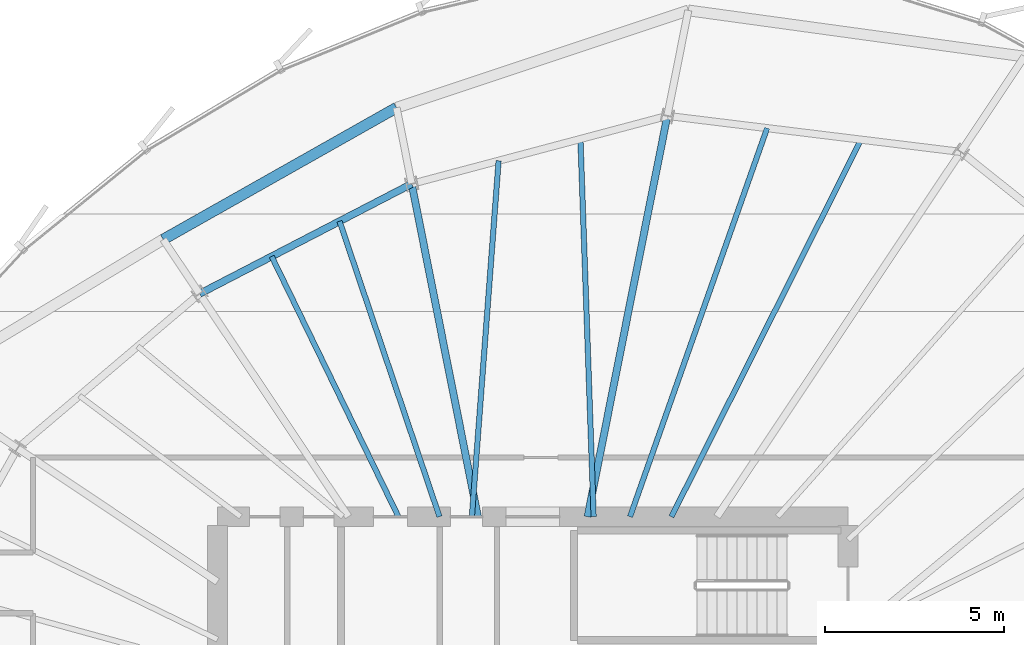
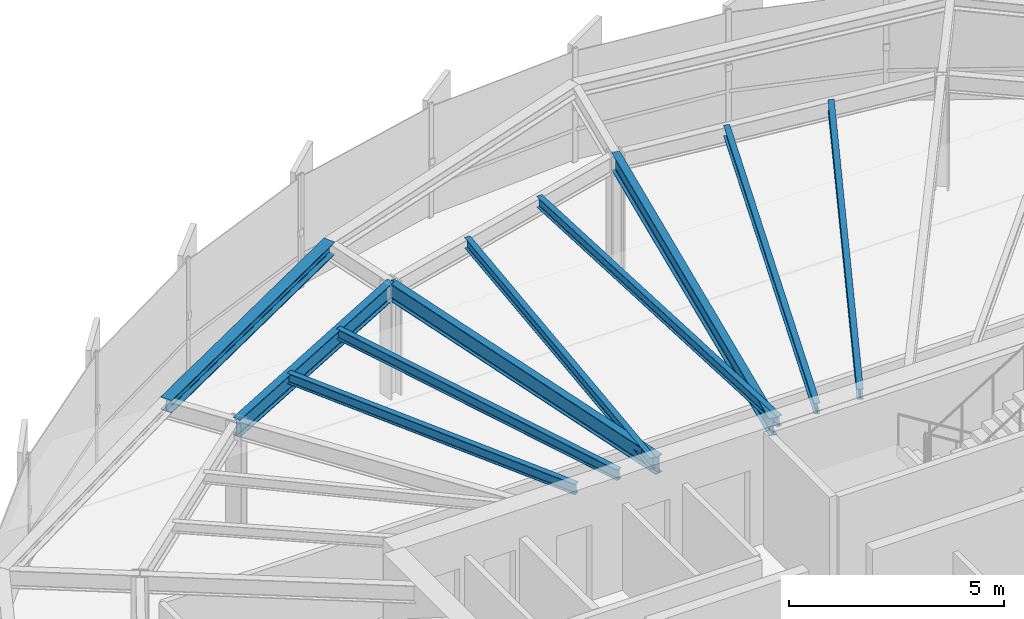
# One storey, part 21 of 34: 10 beams.
"""IFC4 building model written with IfcOpenShell, lengths in metres."""

from ifc_helpers import new_model, si_unit, direction, frame, origin, origin_2d, place, context, subcontext, project, spatial, i_section, extrude, source, transform, mapped, material, material_profile, profile_set, type_object, element, save


model = new_model("IFC4")

# Units and contexts
model_context = context("Model", 3, precision=1e-05, world=origin(), true_north=direction((0.0, 1.0)))
body_context = subcontext(model_context, "Body", "Model", "MODEL_VIEW")
ifc_project = project(units=[si_unit("LENGTHUNIT", "METRE"), si_unit("AREAUNIT", "SQUARE_METRE"), si_unit("VOLUMEUNIT", "CUBIC_METRE"), si_unit("PLANEANGLEUNIT", "RADIAN"), si_unit("MASSUNIT", "GRAM", prefix="KILO"), si_unit("THERMODYNAMICTEMPERATUREUNIT", "KELVIN")], contexts=[model_context])

# Site, building, storey
site_placement = place(None, origin())
site = spatial("IfcSite", under=ifc_project, at=site_placement, CompositionType="ELEMENT")
building_placement = place(site_placement, origin())
building = spatial("IfcBuilding", under=site, at=building_placement, Name="Kethvar Cultural Tower", CompositionType="ELEMENT")
storey_placement = place(building_placement, frame((0.0, 0.0, 207.89990234375)))
storey = spatial("IfcBuildingStorey", under=building, at=storey_placement, Name="L54", CompositionType="ELEMENT", Elevation=207.89990234375)

# Beams
ifc_material = material(Name="Steel S355J2", Category="steel")
ifc_material_profile_1 = material_profile(ifc_material, i_section(OverallWidth=0.199951171875, OverallDepth=0.5, WebThickness=0.01025390625, FlangeThickness=0.01611328125, FilletRadius=0.02099609375, at=origin_2d()), Name="Steel S355J2 — IPE500")
ifc_profile_set_1 = profile_set([ifc_material_profile_1], Name="Steel S355J2 — IPE500")
beam_type_1 = type_object("IfcBeamType", Name="BM-IPE500", PredefinedType="BEAM", material=ifc_profile_set_1)
shared_shape_1 = source(origin(), body_context, "Body", "SweptSolid", [
    extrude(i_section(OverallWidth=0.199951171875, OverallDepth=0.5, WebThickness=0.01025390625, FlangeThickness=0.01611328125, FilletRadius=0.02099609375, at=origin_2d()), origin(), (0.0, 0.0, 1.0), 11.40673828125),
])
beam_1_placement = place(storey_placement, frame((48.33154296875, 35.5, 3.008056640625), z_axis=(0.195091138918, 0.980785117911, 0.0), x_axis=(-0.980785117911, 0.195091138918, 0.0)))
element("IfcBeam", 1, at=beam_1_placement, inside=storey, type_object=beam_type_1, Name="L54 Primary Radial Beam RB-04", PredefinedType="BEAM", context=body_context, shape_type="MappedRepresentation", body=[
    mapped(shared_shape_1, transform((0.0, 0.0, 0.0), scale=1.0)),
])
shared_shape_2 = source(origin(), body_context, "Body", "SweptSolid", [
    extrude(i_section(OverallWidth=0.199951171875, OverallDepth=0.5, WebThickness=0.01025390625, FlangeThickness=0.01611328125, FilletRadius=0.02099609375, at=origin_2d()), origin(), (0.0, 0.0, 1.0), 9.47119140625),
])
beam_2_placement = place(storey_placement, frame((45.268310546875, 35.5, 3.008056640625), z_axis=(-0.195079990396, 0.980787335434, 0.0), x_axis=(-0.980787335434, -0.195079990396, 0.0)))
element("IfcBeam", 2, at=beam_2_placement, inside=storey, type_object=beam_type_1, Name="L54 Primary Radial Beam RB-05", PredefinedType="BEAM", context=body_context, shape_type="MappedRepresentation", body=[
    mapped(shared_shape_2, transform((0.0, 0.0, 0.0), scale=1.0)),
])
ifc_material_profile_2 = material_profile(ifc_material, i_section(OverallWidth=0.14990234375, OverallDepth=0.300048828125, WebThickness=0.007080078125, FlangeThickness=0.0107421875, FilletRadius=0.014892578125, at=origin_2d()), Name="Steel S355J2 — IPE300")
ifc_profile_set_2 = profile_set([ifc_material_profile_2], Name="Steel S355J2 — IPE300")
beam_type_2 = type_object("IfcBeamType", Name="BM-J300", PredefinedType="JOIST", material=ifc_profile_set_2)
shared_shape_3 = source(origin(), body_context, "Body", "SweptSolid", [
    extrude(i_section(OverallWidth=0.14990234375, OverallDepth=0.300048828125, WebThickness=0.007080078125, FlangeThickness=0.0107421875, FilletRadius=0.014892578125, at=origin_2d()), origin(), (0.0, 0.0, 1.0), 11.77880859375),
])
beam_3_placement = place(storey_placement, frame((50.671630859375, 35.5, 3.108154296875), z_axis=(0.449218855458, 0.893421748057, 0.0), x_axis=(-0.893421748057, 0.449218855458, 0.0)))
element("IfcBeam", 3, at=beam_3_placement, inside=storey, type_object=beam_type_2, Name="L54 Composite Floor Joist J-03A", PredefinedType="JOIST", context=body_context, shape_type="MappedRepresentation", body=[
    mapped(shared_shape_3, transform((0.0, 0.0, 0.0), scale=1.0)),
])
shared_shape_4 = source(origin(), body_context, "Body", "SweptSolid", [
    extrude(i_section(OverallWidth=0.14990234375, OverallDepth=0.300048828125, WebThickness=0.007080078125, FlangeThickness=0.0107421875, FilletRadius=0.014892578125, at=origin_2d()), origin(), (0.0, 0.0, 1.0), 11.50048828125),
])
beam_4_placement = place(storey_placement, frame((49.51611328125, 35.5, 3.108154296875), z_axis=(0.332655768875, 0.943048322958, 0.0), x_axis=(-0.943048322958, 0.332655768875, 0.0)))
element("IfcBeam", 4, at=beam_4_placement, inside=storey, type_object=beam_type_2, Name="L54 Composite Floor Joist J-03B", PredefinedType="JOIST", context=body_context, shape_type="MappedRepresentation", body=[
    mapped(shared_shape_4, transform((0.0, 0.0, 0.0), scale=1.0)),
])
shared_shape_5 = source(origin(), body_context, "Body", "SweptSolid", [
    extrude(i_section(OverallWidth=0.14990234375, OverallDepth=0.300048828125, WebThickness=0.007080078125, FlangeThickness=0.0107421875, FilletRadius=0.014892578125, at=origin_2d()), origin(), (0.0, 0.0, 1.0), 10.54833984375),
])
beam_5_placement = place(storey_placement, frame((48.5, 35.5, 3.108154296875), z_axis=(-0.035017879941, 0.999386685965, 0.0), x_axis=(-0.999386685965, -0.035017879941, 0.0)))
element("IfcBeam", 5, at=beam_5_placement, inside=storey, type_object=beam_type_2, Name="L54 Composite Floor Joist J-04A", PredefinedType="JOIST", context=body_context, shape_type="MappedRepresentation", body=[
    mapped(shared_shape_5, transform((0.0, 0.0, 0.0), scale=1.0)),
])
shared_shape_6 = source(origin(), body_context, "Body", "SweptSolid", [
    extrude(i_section(OverallWidth=0.14990234375, OverallDepth=0.300048828125, WebThickness=0.007080078125, FlangeThickness=0.0107421875, FilletRadius=0.014892578125, at=origin_2d()), origin(), (0.0, 0.0, 1.0), 9.962646484375),
])
beam_6_placement = place(storey_placement, frame((45.10009765625, 35.5, 3.108154296875), z_axis=(0.074962964429, 0.99718631858, 0.0), x_axis=(-0.99718631858, 0.074962964429, 0.0)))
element("IfcBeam", 6, at=beam_6_placement, inside=storey, type_object=beam_type_2, Name="L54 Composite Floor Joist J-04B", PredefinedType="JOIST", context=body_context, shape_type="MappedRepresentation", body=[
    mapped(shared_shape_6, transform((0.0, 0.0, 0.0), scale=1.0)),
])
shared_shape_7 = source(origin(), body_context, "Body", "SweptSolid", [
    extrude(i_section(OverallWidth=0.199951171875, OverallDepth=0.5, WebThickness=0.01025390625, FlangeThickness=0.01611328125, FilletRadius=0.02099609375, at=origin_2d()), origin(), (0.0, 0.0, 1.0), 6.669921875),
])
beam_7_placement = place(storey_placement, frame((43.420654296875, 44.789306640625, 3.008056640625), z_axis=(-0.887861983948, -0.460109875421, 0.0), x_axis=(0.460109875421, -0.887861983948, 0.0)))
element("IfcBeam", 7, at=beam_7_placement, inside=storey, type_object=beam_type_1, Name="L54 Column Ring Tie Beam CR-05", PredefinedType="BEAM", context=body_context, shape_type="MappedRepresentation", body=[
    mapped(shared_shape_7, transform((0.0, 0.0, 0.0), scale=1.0)),
])
shared_shape_8 = source(origin(), body_context, "Body", "SweptSolid", [
    extrude(i_section(OverallWidth=0.14990234375, OverallDepth=0.300048828125, WebThickness=0.007080078125, FlangeThickness=0.0107421875, FilletRadius=0.014892578125, at=origin_2d()), origin(), (0.0, 0.0, 1.0), 8.70458984375),
])
beam_8_placement = place(storey_placement, frame((44.19580078125, 35.5, 3.108154296875), z_axis=(-0.320356133074, 0.947297180404, 0.0), x_axis=(-0.947297180404, -0.320356133074, 0.0)))
element("IfcBeam", 8, at=beam_8_placement, inside=storey, type_object=beam_type_2, Name="L54 Composite Floor Joist J-05A", PredefinedType="JOIST", context=body_context, shape_type="MappedRepresentation", body=[
    mapped(shared_shape_8, transform((0.0, 0.0, 0.0), scale=1.0)),
])
shared_shape_9 = source(origin(), body_context, "Body", "SweptSolid", [
    extrude(i_section(OverallWidth=0.14990234375, OverallDepth=0.300048828125, WebThickness=0.007080078125, FlangeThickness=0.0107421875, FilletRadius=0.014892578125, at=origin_2d()), origin(), (0.0, 0.0, 1.0), 8.07958984375),
])
beam_9_placement = place(storey_placement, frame((43.0498046875, 35.5, 3.108154296875), z_axis=(-0.437846062021, 0.89904995744, 0.0), x_axis=(-0.89904995744, -0.437846062021, 0.0)))
element("IfcBeam", 9, at=beam_9_placement, inside=storey, type_object=beam_type_2, Name="L54 Composite Floor Joist J-05B", PredefinedType="JOIST", context=body_context, shape_type="MappedRepresentation", body=[
    mapped(shared_shape_9, transform((0.0, 0.0, 0.0), scale=1.0)),
])
ifc_material_profile_3 = material_profile(ifc_material, i_section(OverallWidth=0.300048828125, OverallDepth=0.360107421875, WebThickness=0.012451171875, FlangeThickness=0.0224609375, FilletRadius=0.027099609375, at=origin_2d()), Name="Steel S355J2 — HEB360")
ifc_profile_set_3 = profile_set([ifc_material_profile_3], Name="Steel S355J2 — HEB360")
beam_type_3 = type_object("IfcBeamType", Name="BM-SP360", PredefinedType="SPANDREL", material=ifc_profile_set_3)
shared_shape_10 = source(origin(), body_context, "Body", "SweptSolid", [
    extrude(i_section(OverallWidth=0.300048828125, OverallDepth=0.360107421875, WebThickness=0.012451171875, FlangeThickness=0.0224609375, FilletRadius=0.027099609375, at=origin_2d()), origin(), (0.0, 0.0, 1.0), 7.47998046875),
])
beam_10_placement = place(storey_placement, frame((42.99755859375, 46.91650390625, 3.078125), z_axis=(-0.870663124481, -0.491879785789, 0.0), x_axis=(0.491879785789, -0.870663124481, 0.0)))
element("IfcBeam", 10, at=beam_10_placement, inside=storey, type_object=beam_type_3, Name="L54 Perimeter Spandrel Beam SP-05", PredefinedType="SPANDREL", context=body_context, shape_type="MappedRepresentation", body=[
    mapped(shared_shape_10, transform((0.0, 0.0, 0.0), scale=1.0)),
])

save(model, "model.ifc")
